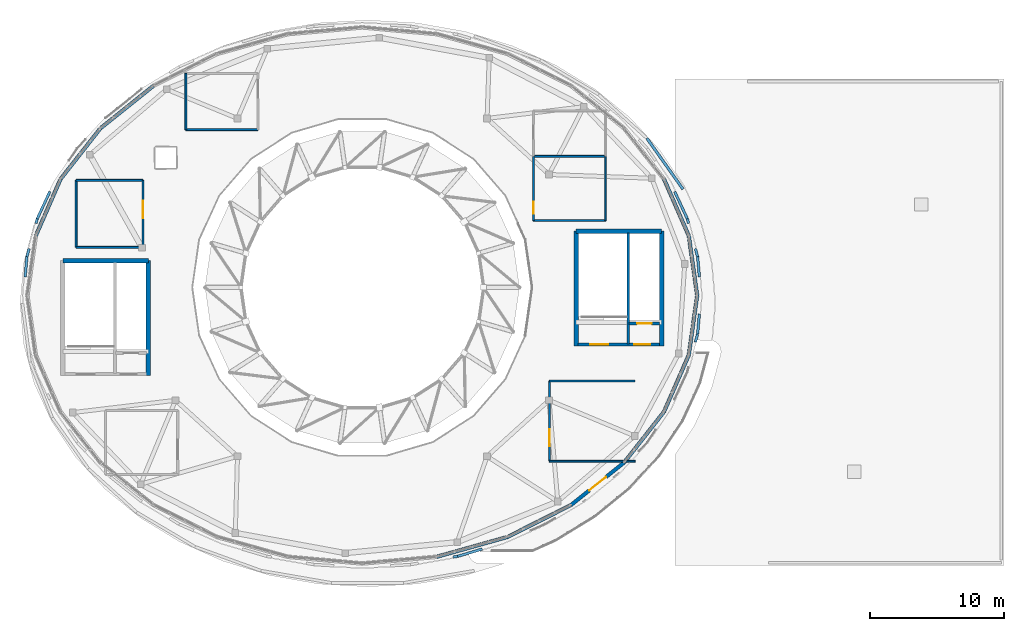
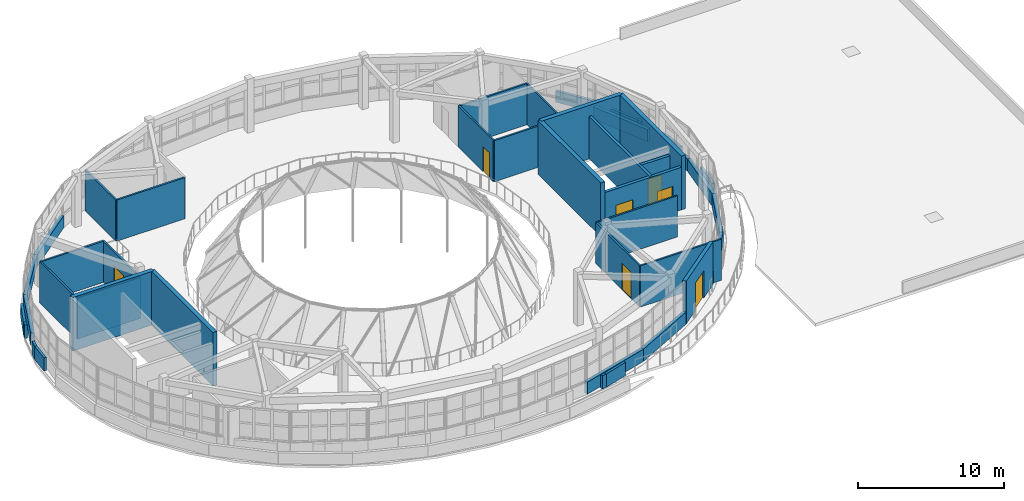
# One storey, part 34 of 38: 45 walls, 7 doors, 7 openings.
"""IFC4 building model written with IfcOpenShell, lengths in metres."""

from ifc_helpers import new_model, si_unit, direction, frame, frame_2d, origin, place, context, subcontext, project, spatial, rectangle, extrude, material, layer, layer_set, type_object, element, fill, save


model = new_model("IFC4")

# Units and contexts
model_context = context("Model", 3, precision=1e-05, world=origin(), true_north=direction((0.0, 1.0)))
body_context = subcontext(model_context, "Body", "Model", "MODEL_VIEW")
ifc_project = project(units=[si_unit("LENGTHUNIT", "METRE"), si_unit("AREAUNIT", "SQUARE_METRE"), si_unit("VOLUMEUNIT", "CUBIC_METRE"), si_unit("PLANEANGLEUNIT", "RADIAN"), si_unit("MASSUNIT", "GRAM", prefix="KILO")], contexts=[model_context])

# Site, building, storey
site_placement = place(None, origin())
site = spatial("IfcSite", under=ifc_project, at=site_placement, CompositionType="ELEMENT")
building_placement = place(site_placement, origin())
building = spatial("IfcBuilding", under=site, at=building_placement, Name="Pelvatis Terrace Science Centre", CompositionType="ELEMENT")
storey_placement = place(building_placement, frame((0.0, 0.0, 24.300048828125)))
storey = spatial("IfcBuildingStorey", under=building, at=storey_placement, Name="L05", CompositionType="ELEMENT", Elevation=24.300048828125)

# Walls
ifc_material_1 = material(Name="White architectural precast concrete C40/50 spandrel", Category="concrete")
ifc_layer_1 = layer(ifc_material_1, 0.27490234375)
ifc_layer_set_1 = layer_set([ifc_layer_1], Name="White architectural precast concrete C40/50 spandrel")
wall_type_1 = type_object("IfcWallType", Name="WL-EXT-SPND-275", PredefinedType="SOLIDWALL", material=ifc_layer_set_1)
wall_1_placement = place(storey_placement, frame((134.25, 85.199951171875, 0.0), z_axis=(0.0, 0.0, 1.0), x_axis=(-0.139418383806, 0.990233565507, 0.0)))
element("IfcWall", 1, at=wall_1_placement, inside=storey, type_object=wall_type_1, Name="V1 white spiral spandrel band 01 (L05)", PredefinedType="SOLIDWALL", context=body_context, shape_type="SweptSolid", body=[
    extrude(rectangle(XDim=4.505615234375, YDim=0.27490234375, at=frame_2d((2.2529296875, 0.0))), origin(), (0.0, 0.0, 1.0), 1.02001953125),
])
wall_2_placement = place(storey_placement, frame((133.621826171875, 89.66162109375, 0.0), z_axis=(0.0, 0.0, 1.0), x_axis=(-0.400547439548, 0.916276022098, 0.0)))
element("IfcWall", 2, at=wall_2_placement, inside=storey, type_object=wall_type_1, Name="V1 white spiral spandrel band 02 (L05)", PredefinedType="SOLIDWALL", context=body_context, shape_type="SweptSolid", body=[
    extrude(rectangle(XDim=4.625, YDim=0.27490234375, at=frame_2d((2.3125, 0.0))), origin(), (0.0, 0.0, 1.0), 1.02001953125),
])
wall_3_placement = place(storey_placement, frame((93.58154296875, 100.875732421875, 0.0), z_axis=(0.0, 0.0, 1.0), x_axis=(-0.780718767482, -0.624882553846, 0.0)))
element("IfcWall", 3, at=wall_3_placement, inside=storey, type_object=wall_type_1, Name="V1 white spiral spandrel band 11 (L05)", PredefinedType="SOLIDWALL", context=body_context, shape_type="SweptSolid", body=[
    extrude(rectangle(XDim=5.08056640625, YDim=0.27490234375, at=frame_2d((2.540283203125, 0.0))), origin(), (0.0, 0.0, 1.0), 1.02001953125),
])
wall_4_placement = place(storey_placement, frame((89.614990234375, 97.700927734375, 0.0), z_axis=(0.0, 0.0, 1.0), x_axis=(-0.617498011037, -0.786572441906, 0.0)))
element("IfcWall", 4, at=wall_4_placement, inside=storey, type_object=wall_type_1, Name="V1 white spiral spandrel band 12 (L05)", PredefinedType="SOLIDWALL", context=body_context, shape_type="SweptSolid", body=[
    extrude(rectangle(XDim=4.8330078125, YDim=0.27490234375, at=frame_2d((2.41650390625, 0.0))), origin(), (0.0, 0.0, 1.0), 1.02001953125),
])
wall_5_placement = place(storey_placement, frame((86.630615234375, 93.8994140625, 0.0), z_axis=(0.0, 0.0, 1.0), x_axis=(-0.400547439548, -0.916276022098, 0.0)))
element("IfcWall", 5, at=wall_5_placement, inside=storey, type_object=wall_type_1, Name="V1 white spiral spandrel band 13 (L05)", PredefinedType="SOLIDWALL", context=body_context, shape_type="SweptSolid", body=[
    extrude(rectangle(XDim=4.625, YDim=0.27490234375, at=frame_2d((2.3125, 0.0))), origin(), (0.0, 0.0, 1.0), 1.02001953125),
])
wall_6_placement = place(storey_placement, frame((114.774169921875, 65.652587890625, 0.0), z_axis=(0.0, 0.0, 1.0), x_axis=(0.962945110284, 0.269697450079, 0.0)))
element("IfcWall", 6, at=wall_6_placement, inside=storey, type_object=wall_type_1, Name="V1 white spiral spandrel band 23 (L05)", PredefinedType="SOLIDWALL", context=body_context, shape_type="SweptSolid", body=[
    extrude(rectangle(XDim=5.49853515625, YDim=0.27490234375, at=frame_2d((2.749267578125, 0.0))), origin(), (0.0, 0.0, 1.0), 1.02001953125),
])
wall_7_placement = place(storey_placement, frame((120.06884765625, 67.135498046875, 0.0), z_axis=(0.0, 0.0, 1.0), x_axis=(0.8933592713, 0.449343089836, 0.0)))
element("IfcWall", 7, at=wall_7_placement, inside=storey, type_object=wall_type_1, Name="V1 white spiral spandrel band 24 (L05)", PredefinedType="SOLIDWALL", context=body_context, shape_type="SweptSolid", body=[
    extrude(rectangle(XDim=5.31640625, YDim=0.27490234375, at=frame_2d((2.658203125, 0.0))), origin(), (0.0, 0.0, 1.0), 1.02001953125),
])

# Wall, opening, door
wall_8_placement = place(storey_placement, frame((124.818359375, 69.5244140625, 0.0), z_axis=(0.0, 0.0, 1.0), x_axis=(0.780742210705, 0.624853263113, 0.0)))
wall_8 = element("IfcWall", 8, at=wall_8_placement, inside=storey, type_object=wall_type_1, Name="L05 Observatory curved terrace portal wall", PredefinedType="SOLIDWALL", context=body_context, shape_type="SweptSolid", body=[
    extrude(rectangle(XDim=5.08056640625, YDim=0.27490234375, at=frame_2d((2.540283203125, 0.0))), origin(), (0.0, 0.0, 1.0), 3.579833984375),
])
opening_1_placement = place(wall_8_placement, frame((1.739990234375, 0.0, 0.0)))
opening_1 = element("IfcOpeningElement", 9, at=opening_1_placement, cuts=wall_8, Name="Opening D-501", PredefinedType="OPENING", context=body_context, shape_type="SweptSolid", body=[
    extrude(rectangle(XDim=1.60009765625, YDim=2.300048828125, at=frame_2d((0.800048828125, 1.14990234375))), frame((0.0, 0.1474609375, 0.0), z_axis=(0.0, -1.0, 0.0), x_axis=(1.0, 0.0, 0.0)), (0.0, 0.0, 1.0), 0.294921875),
])
ifc_material_2 = material(Name="Thermally broken bronze glazed terrace door", Category="glass")
door_type_1 = type_object("IfcDoorType", Name="DR-TER-1600x2300", OperationType="NOTDEFINED", PredefinedType="DOOR", material=ifc_material_2)
door_1_placement = place(opening_1_placement, origin())
door_1 = element("IfcDoor", 10, at=door_1_placement, inside=storey, type_object=door_type_1, Name="L05 Dark-sky observatory terrace door", OperationType="DOUBLE_DOOR_SINGLE_SWING", OverallHeight=2.300048828125, OverallWidth=1.60009765625, PredefinedType="DOOR", context=body_context, shape_type="SweptSolid", body=[
    extrude(rectangle(XDim=1.60009765625, YDim=2.300048828125, at=frame_2d((0.800048828125, 1.14990234375))), frame((0.0, 0.02490234375, 0.0), z_axis=(0.0, -1.0, 0.0), x_axis=(1.0, 0.0, 0.0)), (0.0, 0.0, 1.0), 0.050048828125),
])
fill(opening_1, door_1)

# Walls
wall_9_placement = place(storey_placement, frame((128.784912109375, 72.698974609375, 0.0), z_axis=(0.0, 0.0, 1.0), x_axis=(0.617498011037, 0.786572441906, 0.0)))
element("IfcWall", 11, at=wall_9_placement, inside=storey, type_object=wall_type_1, Name="V1 white spiral spandrel band 26 (L05)", PredefinedType="SOLIDWALL", context=body_context, shape_type="SweptSolid", body=[
    extrude(rectangle(XDim=4.8330078125, YDim=0.27490234375, at=frame_2d((2.41650390625, 0.0))), origin(), (0.0, 0.0, 1.0), 1.02001953125),
])
wall_10_placement = place(storey_placement, frame((131.769287109375, 76.50048828125, 0.0), z_axis=(0.0, 0.0, 1.0), x_axis=(0.400528066948, 0.916284490531, 0.0)))
element("IfcWall", 12, at=wall_10_placement, inside=storey, type_object=wall_type_1, Name="V1 white spiral spandrel band 27 (L05)", PredefinedType="SOLIDWALL", context=body_context, shape_type="SweptSolid", body=[
    extrude(rectangle(XDim=4.625244140625, YDim=0.27490234375, at=frame_2d((2.3125, 0.0))), origin(), (0.0, 0.0, 1.0), 1.02001953125),
])
wall_11_placement = place(storey_placement, frame((133.621826171875, 80.738525390625, 0.0), z_axis=(0.0, 0.0, 1.0), x_axis=(0.139425864829, 0.990232512199, 0.0)))
element("IfcWall", 13, at=wall_11_placement, inside=storey, type_object=wall_type_1, Name="V1 white spiral spandrel band 28 (L05)", PredefinedType="SOLIDWALL", context=body_context, shape_type="SweptSolid", body=[
    extrude(rectangle(XDim=4.50537109375, YDim=0.27490234375, at=frame_2d((2.252685546875, 0.0))), origin(), (0.0, 0.0, 1.0), 1.02001953125),
])
ifc_material_3 = material(Name="Concrete C35/45 shaft dividing wall", Category="concrete")
ifc_layer_2 = layer(ifc_material_3, 0.2099609375)
ifc_layer_set_2 = layer_set([ifc_layer_2], Name="Concrete C35/45 shaft dividing wall")
wall_type_2 = type_object("IfcWallType", Name="WL-INT-CORE-210", PredefinedType="PARTITIONING", material=ifc_layer_set_2)
wall_12_placement = place(storey_placement, frame((129.10009765625, 81.550048828125, 0.0), z_axis=(0.0, 0.0, 1.0), x_axis=(0.0, 1.0, 0.0)))
element("IfcWall", 14, at=wall_12_placement, inside=storey, type_object=wall_type_2, Name="Core C2 stair-lift shaft fire wall (L05)", PredefinedType="PARTITIONING", context=body_context, shape_type="SweptSolid", body=[
    extrude(rectangle(XDim=8.300048828125, YDim=0.2099609375, at=frame_2d((4.14990234375, 0.0))), origin(), (0.0, 0.0, 1.0), 3.579833984375),
])

# Wall, opening, door
ifc_material_4 = material(Name="Concrete C35/45 stair enclosure wall", Category="concrete")
ifc_layer_3 = layer(ifc_material_4, 0.22509765625)
ifc_layer_set_3 = layer_set([ifc_layer_3], Name="Concrete C35/45 stair enclosure wall")
wall_type_3 = type_object("IfcWallType", Name="WL-INT-CORE-225", PredefinedType="PARTITIONING", material=ifc_layer_set_3)
wall_13_placement = place(storey_placement, frame((129.14990234375, 83.10009765625, 0.0), z_axis=(0.0, 0.0, 1.0), x_axis=(1.0, 0.0, 0.0)))
wall_13 = element("IfcWall", 15, at=wall_13_placement, inside=storey, type_object=wall_type_3, Name="Core C2 lift shaft landing wall (L05)", PredefinedType="PARTITIONING", context=body_context, shape_type="SweptSolid", body=[
    extrude(rectangle(XDim=2.300048828125, YDim=0.22509765625, at=frame_2d((1.14990234375, 0.0))), origin(), (0.0, 0.0, 1.0), 3.579833984375),
])
opening_2_placement = place(wall_13_placement, frame((0.60009765625, 0.0, 0.0)))
opening_2 = element("IfcOpeningElement", 16, at=opening_2_placement, cuts=wall_13, Name="Opening LD-C2-7", PredefinedType="OPENING", context=body_context, shape_type="SweptSolid", body=[
    extrude(rectangle(XDim=1.10009765625, YDim=2.14990234375, at=frame_2d((0.550048828125, 1.074951171875))), frame((0.0, 0.12255859375, 0.0), z_axis=(0.0, -1.0, 0.0), x_axis=(1.0, 0.0, 0.0)), (0.0, 0.0, 1.0), 0.2451171875),
])
ifc_material_5 = material(Name="Stainless steel sliding fire-fighting lift landing door", Category="steel")
door_type_2 = type_object("IfcDoorType", Name="DR-LIFT-1100x2150", OperationType="NOTDEFINED", PredefinedType="DOOR", material=ifc_material_5)
door_2_placement = place(opening_2_placement, origin())
door_2 = element("IfcDoor", 17, at=door_2_placement, inside=storey, type_object=door_type_2, Name="Lift LF-02 sliding landing door (L05)", OperationType="SLIDING_TO_LEFT", OverallHeight=2.14990234375, OverallWidth=1.10009765625, PredefinedType="DOOR", context=body_context, shape_type="SweptSolid", body=[
    extrude(rectangle(XDim=1.10009765625, YDim=2.14990234375, at=frame_2d((0.550048828125, 1.074951171875))), frame((0.0, 0.02490234375, 0.0), z_axis=(0.0, -1.0, 0.0), x_axis=(1.0, 0.0, 0.0)), (0.0, 0.0, 1.0), 0.050048828125),
])
fill(opening_2, door_2)

# Wall, openings, doors
ifc_material_6 = material(Name="Concrete C35/45 shaft enclosure wall", Category="concrete")
ifc_layer_4 = layer(ifc_material_6, 0.239990234375)
ifc_layer_set_4 = layer_set([ifc_layer_4], Name="Concrete C35/45 shaft enclosure wall")
wall_type_4 = type_object("IfcWallType", Name="WL-INT-CORE-240", PredefinedType="PARTITIONING", material=ifc_layer_set_4)
wall_14_placement = place(storey_placement, frame((125.35009765625, 81.52001953125, 0.0), z_axis=(0.0, 0.0, 1.0), x_axis=(1.0, 0.0, 0.0)))
wall_14 = element("IfcWall", 18, at=wall_14_placement, inside=storey, type_object=wall_type_4, Name="Core C2 fire-rated lobby wall (L05)", PredefinedType="PARTITIONING", context=body_context, shape_type="SweptSolid", body=[
    extrude(rectangle(XDim=6.099853515625, YDim=0.239990234375, at=frame_2d((3.0498046875, 0.0))), origin(), (0.0, 0.0, 1.0), 3.579833984375),
])
opening_3_placement = place(wall_14_placement, frame((0.89990234375, 0.0, 0.0)))
opening_3 = element("IfcOpeningElement", 19, at=opening_3_placement, cuts=wall_14, Name="Opening D-127", PredefinedType="OPENING", context=body_context, shape_type="SweptSolid", body=[
    extrude(rectangle(XDim=1.35009765625, YDim=2.199951171875, at=frame_2d((0.675048828125, 1.10009765625))), frame((0.0, 0.1298828125, 0.0), z_axis=(0.0, -1.0, 0.0), x_axis=(1.0, 0.0, 0.0)), (0.0, 0.0, 1.0), 0.260009765625),
])
opening_4_placement = place(wall_14_placement, frame((4.199951171875, 0.0, 0.0)))
opening_4 = element("IfcOpeningElement", 20, at=opening_4_placement, cuts=wall_14, Name="Opening D-128", PredefinedType="OPENING", context=body_context, shape_type="SweptSolid", body=[
    extrude(rectangle(XDim=1.199951171875, YDim=2.199951171875, at=frame_2d((0.60009765625, 1.10009765625))), frame((0.0, 0.1298828125, 0.0), z_axis=(0.0, -1.0, 0.0), x_axis=(1.0, 0.0, 0.0)), (0.0, 0.0, 1.0), 0.260009765625),
])
ifc_material_7 = material(Name="Steel fire-rated exit stair door", Category="steel")
door_type_3 = type_object("IfcDoorType", Name="DR-STAIR-1200x2200", OperationType="NOTDEFINED", PredefinedType="DOOR", material=ifc_material_7)
door_3_placement = place(opening_4_placement, origin())
door_3 = element("IfcDoor", 21, at=door_3_placement, inside=storey, type_object=door_type_3, Name="Core C2 lift lobby fire door (L05)", OperationType="SINGLE_SWING_RIGHT", OverallHeight=2.199951171875, OverallWidth=1.199951171875, PredefinedType="DOOR", context=body_context, shape_type="SweptSolid", body=[
    extrude(rectangle(XDim=1.199951171875, YDim=2.199951171875, at=frame_2d((0.60009765625, 1.10009765625))), frame((0.0, 0.02490234375, 0.0), z_axis=(0.0, -1.0, 0.0), x_axis=(1.0, 0.0, 0.0)), (0.0, 0.0, 1.0), 0.050048828125),
])
fill(opening_4, door_3)
ifc_material_8 = material(Name="Steel fire-rated protected stair door", Category="steel")
door_type_4 = type_object("IfcDoorType", Name="DR-STAIR-1350x2200", OperationType="NOTDEFINED", PredefinedType="DOOR", material=ifc_material_8)
door_4_placement = place(opening_3_placement, origin())
door_4 = element("IfcDoor", 22, at=door_4_placement, inside=storey, type_object=door_type_4, Name="Core C2 protected stair fire door (L05)", OperationType="SINGLE_SWING_LEFT", OverallHeight=2.199951171875, OverallWidth=1.35009765625, PredefinedType="DOOR", context=body_context, shape_type="SweptSolid", body=[
    extrude(rectangle(XDim=1.35009765625, YDim=2.199951171875, at=frame_2d((0.675048828125, 1.10009765625))), frame((0.0, 0.02490234375, 0.0), z_axis=(0.0, -1.0, 0.0), x_axis=(1.0, 0.0, 0.0)), (0.0, 0.0, 1.0), 0.050048828125),
])
fill(opening_3, door_4)

# Walls
ifc_material_9 = material(Name="Alcove display partition", Category="masonry")
ifc_layer_5 = layer(ifc_material_9, 0.110107421875)
ifc_layer_set_5 = layer_set([ifc_layer_5], Name="Alcove display partition")
wall_type_5 = type_object("IfcWallType", Name="WL-INT-GAL-110", PredefinedType="PARTITIONING", material=ifc_layer_set_5)
wall_15_placement = place(storey_placement, frame((127.39990234375, 90.800048828125, 0.0), z_axis=(0.0, 0.0, 1.0), x_axis=(0.0, 1.0, 0.0)))
element("IfcWall", 23, at=wall_15_placement, inside=storey, type_object=wall_type_5, Name="Level L05 Public Restrooms partition wall E", PredefinedType="PARTITIONING", context=body_context, shape_type="SweptSolid", body=[
    extrude(rectangle(XDim=4.800048828125, YDim=0.110107421875, at=frame_2d((2.39990234375, 0.0))), origin(), (0.0, 0.0, 1.0), 3.449951171875),
])
ifc_material_10 = material(Name="Office partition wall", Category="masonry")
ifc_layer_6 = layer(ifc_material_10, 0.139892578125)
ifc_layer_set_6 = layer_set([ifc_layer_6], Name="Office partition wall")
wall_type_6 = type_object("IfcWallType", Name="WL-INT-GAL-140", PredefinedType="PARTITIONING", material=ifc_layer_set_6)
for number, where, z_axis, x_axis, name in (
    (24, (122.0, 90.800048828125, 0.0), (0.0, 0.0, 1.0), (1.0, 0.0, 0.0), "Level L05 Public Restrooms partition wall S"),
    (25, (127.39990234375, 95.60009765625, 0.0), (0.0, 0.0, 1.0), (-1.0, 0.0, 0.0), "Level L05 Public Restrooms partition wall N"),
):
    element("IfcWall", number, at=place(storey_placement, frame(where, z_axis=z_axis, x_axis=x_axis)), inside=storey, type_object=wall_type_6, Name=name, PredefinedType="PARTITIONING", context=body_context, shape_type="SweptSolid", body=[
        extrude(rectangle(XDim=5.39990234375, YDim=0.139892578125, at=frame_2d((2.699951171875, 0.0))), origin(), (0.0, 0.0, 1.0), 3.449951171875),
    ])
ifc_material_11 = material(Name="Observatory acoustic fire partition", Category="masonry")
ifc_layer_7 = layer(ifc_material_11, 0.14501953125)
ifc_layer_set_7 = layer_set([ifc_layer_7], Name="Observatory acoustic fire partition")
wall_type_7 = type_object("IfcWallType", Name="WL-INT-GAL-145", PredefinedType="PARTITIONING", material=ifc_layer_set_7)
wall_16_placement = place(storey_placement, frame((87.800048828125, 88.800048828125, 0.0), z_axis=(0.0, 0.0, 1.0), x_axis=(1.0, 0.0, 0.0)))
element("IfcWall", 26, at=wall_16_placement, inside=storey, type_object=wall_type_7, Name="Astronomical Observatory Refracting Telescope Pavilion partition wall S", PredefinedType="PARTITIONING", context=body_context, shape_type="SweptSolid", body=[
    extrude(rectangle(XDim=5.0, YDim=0.14501953125, at=frame_2d((2.5, 0.0))), origin(), (0.0, 0.0, 1.0), 3.449951171875),
])

# Wall, opening, door
wall_17_placement = place(storey_placement, frame((92.800048828125, 88.800048828125, 0.0), z_axis=(0.0, 0.0, 1.0), x_axis=(0.0, 1.0, 0.0)))
wall_17 = element("IfcWall", 27, at=wall_17_placement, inside=storey, type_object=wall_type_7, Name="Astronomical Observatory Refracting Telescope Pavilion partition wall E", PredefinedType="PARTITIONING", context=body_context, shape_type="SweptSolid", body=[
    extrude(rectangle(XDim=5.0, YDim=0.14501953125, at=frame_2d((2.5, 0.0))), origin(), (0.0, 0.0, 1.0), 3.449951171875),
])
opening_5_placement = place(wall_17_placement, frame((2.162109375, 0.0, 0.0)))
opening_5 = element("IfcOpeningElement", 28, at=opening_5_placement, cuts=wall_17, Name="Opening D-222", PredefinedType="OPENING", context=body_context, shape_type="SweptSolid", body=[
    extrude(rectangle(XDim=1.300048828125, YDim=2.25, at=frame_2d((0.64990234375, 1.125))), frame((0.0, 0.08251953125, 0.0), z_axis=(0.0, -1.0, 0.0), x_axis=(1.0, 0.0, 0.0)), (0.0, 0.0, 1.0), 0.1650390625),
])
ifc_material_12 = material(Name="Blackout telescope control room door", Category="wood")
door_type_5 = type_object("IfcDoorType", Name="DR-OBS-1300x2250", OperationType="NOTDEFINED", PredefinedType="DOOR", material=ifc_material_12)
door_5_placement = place(opening_5_placement, origin())
door_5 = element("IfcDoor", 29, at=door_5_placement, inside=storey, type_object=door_type_5, Name="Astronomical Observatory Refracting Telescope Pavilion entrance door", OperationType="SINGLE_SWING_LEFT", OverallHeight=2.25, OverallWidth=1.300048828125, PredefinedType="DOOR", context=body_context, shape_type="SweptSolid", body=[
    extrude(rectangle(XDim=1.300048828125, YDim=2.25, at=frame_2d((0.64990234375, 1.125))), frame((0.0, 0.02490234375, 0.0), z_axis=(0.0, -1.0, 0.0), x_axis=(1.0, 0.0, 0.0)), (0.0, 0.0, 1.0), 0.050048828125),
])
fill(opening_5, door_5)

# Walls
for number, where, z_axis, x_axis, name in (
    (30, (92.800048828125, 93.800048828125, 0.0), (0.0, 0.0, 1.0), (-1.0, 0.0, 0.0), "Astronomical Observatory Refracting Telescope Pavilion partition wall N"),
    (31, (87.800048828125, 93.800048828125, 0.0), (0.0, 0.0, 1.0), (0.0, -1.0, 0.0), "Astronomical Observatory Refracting Telescope Pavilion partition wall W"),
):
    element("IfcWall", number, at=place(storey_placement, frame(where, z_axis=z_axis, x_axis=x_axis)), inside=storey, type_object=wall_type_7, Name=name, PredefinedType="PARTITIONING", context=body_context, shape_type="SweptSolid", body=[
        extrude(rectangle(XDim=5.0, YDim=0.14501953125, at=frame_2d((2.5, 0.0))), origin(), (0.0, 0.0, 1.0), 3.449951171875),
    ])
wall_18_placement = place(storey_placement, frame((96.0, 97.60009765625, 0.0), z_axis=(0.0, 0.0, 1.0), x_axis=(1.0, 0.0, 0.0)))
element("IfcWall", 32, at=wall_18_placement, inside=storey, type_object=wall_type_7, Name="Astrophotography and Telescope Control Workroom partition wall S", PredefinedType="PARTITIONING", context=body_context, shape_type="SweptSolid", body=[
    extrude(rectangle(XDim=5.39990234375, YDim=0.14501953125, at=frame_2d((2.699951171875, 0.0))), origin(), (0.0, 0.0, 1.0), 3.449951171875),
])
wall_19_placement = place(storey_placement, frame((96.0, 101.800048828125, 0.0), z_axis=(0.0, 0.0, 1.0), x_axis=(0.0, -1.0, 0.0)))
element("IfcWall", 33, at=wall_19_placement, inside=storey, type_object=wall_type_7, Name="Astrophotography and Telescope Control Workroom partition wall W", PredefinedType="PARTITIONING", context=body_context, shape_type="SweptSolid", body=[
    extrude(rectangle(XDim=4.199951171875, YDim=0.14501953125, at=frame_2d((2.10009765625, 0.0))), origin(), (0.0, 0.0, 1.0), 3.449951171875),
])
ifc_material_13 = material(Name="Twin-frame gypsum fire-rated seminar partition", Category="masonry")
ifc_layer_8 = layer(ifc_material_13, 0.135009765625)
ifc_layer_set_8 = layer_set([ifc_layer_8], Name="Twin-frame gypsum fire-rated seminar partition")
wall_type_8 = type_object("IfcWallType", Name="WL-INT-STD-135", PredefinedType="PARTITIONING", material=ifc_layer_set_8)
for number, where, z_axis, x_axis, name in (
    (34, (123.199951171875, 72.800048828125, 0.0), (0.0, 0.0, 1.0), (1.0, 0.0, 0.0), "Celestial Navigation and Night-Sky Seminar Room partition wall S"),
    (35, (129.60009765625, 78.800048828125, 0.0), (0.0, 0.0, 1.0), (-1.0, 0.0, 0.0), "Celestial Navigation and Night-Sky Seminar Room partition wall N"),
):
    element("IfcWall", number, at=place(storey_placement, frame(where, z_axis=z_axis, x_axis=x_axis)), inside=storey, type_object=wall_type_8, Name=name, PredefinedType="PARTITIONING", context=body_context, shape_type="SweptSolid", body=[
        extrude(rectangle(XDim=6.400146484375, YDim=0.135009765625, at=frame_2d((3.2001953125, 0.0))), origin(), (0.0, 0.0, 1.0), 3.449951171875),
    ])

# Wall, opening, door
wall_20_placement = place(storey_placement, frame((123.199951171875, 78.800048828125, 0.0), z_axis=(0.0, 0.0, 1.0), x_axis=(0.0, -1.0, 0.0)))
wall_20 = element("IfcWall", 36, at=wall_20_placement, inside=storey, type_object=wall_type_8, Name="Celestial Navigation and Night-Sky Seminar Room partition wall W", PredefinedType="PARTITIONING", context=body_context, shape_type="SweptSolid", body=[
    extrude(rectangle(XDim=6.0, YDim=0.135009765625, at=frame_2d((3.0, 0.0))), origin(), (0.0, 0.0, 1.0), 3.449951171875),
])
opening_6_placement = place(wall_20_placement, frame((3.625, 0.0, 0.0)))
opening_6 = element("IfcOpeningElement", 37, at=opening_6_placement, cuts=wall_20, Name="Opening D-224", PredefinedType="OPENING", context=body_context, shape_type="SweptSolid", body=[
    extrude(rectangle(XDim=1.25, YDim=2.199951171875, at=frame_2d((0.625, 1.10009765625))), frame((0.0, 0.077392578125, 0.0), z_axis=(0.0, -1.0, 0.0), x_axis=(1.0, 0.0, 0.0)), (0.0, 0.0, 1.0), 0.155029296875),
])
ifc_material_14 = material(Name="Acoustic timber seminar fire door", Category="wood")
door_type_6 = type_object("IfcDoorType", Name="DR-SEM-1250x2200", OperationType="NOTDEFINED", PredefinedType="DOOR", material=ifc_material_14)
door_6_placement = place(opening_6_placement, origin())
door_6 = element("IfcDoor", 38, at=door_6_placement, inside=storey, type_object=door_type_6, Name="Celestial Navigation and Night-Sky Seminar Room entrance door", OperationType="SINGLE_SWING_LEFT", OverallHeight=2.199951171875, OverallWidth=1.25, PredefinedType="DOOR", context=body_context, shape_type="SweptSolid", body=[
    extrude(rectangle(XDim=1.25, YDim=2.199951171875, at=frame_2d((0.625, 1.10009765625))), frame((0.0, 0.02490234375, 0.0), z_axis=(0.0, -1.0, 0.0), x_axis=(1.0, 0.0, 0.0)), (0.0, 0.0, 1.0), 0.050048828125),
])
fill(opening_6, door_6)

ifc_material_15 = material(Name="Ceramic-tiled wet restroom partition", Category="masonry")
ifc_layer_9 = layer(ifc_material_15, 0.1298828125)
ifc_layer_set_9 = layer_set([ifc_layer_9], Name="Ceramic-tiled wet restroom partition")
wall_type_9 = type_object("IfcWallType", Name="WL-INT-WET-130", PredefinedType="PARTITIONING", material=ifc_layer_set_9)
wall_21_placement = place(storey_placement, frame((122.0, 95.60009765625, 0.0), z_axis=(0.0, 0.0, 1.0), x_axis=(0.0, -1.0, 0.0)))
wall_21 = element("IfcWall", 39, at=wall_21_placement, inside=storey, type_object=wall_type_9, Name="Level L05 Public Restrooms partition wall W", PredefinedType="PARTITIONING", context=body_context, shape_type="SweptSolid", body=[
    extrude(rectangle(XDim=4.800048828125, YDim=0.1298828125, at=frame_2d((2.39990234375, 0.0))), origin(), (0.0, 0.0, 1.0), 3.449951171875),
])
opening_7_placement = place(wall_21_placement, frame((3.3798828125, 0.0, 0.0)))
opening_7 = element("IfcOpeningElement", 40, at=opening_7_placement, cuts=wall_21, Name="Opening D-226", PredefinedType="OPENING", context=body_context, shape_type="SweptSolid", body=[
    extrude(rectangle(XDim=0.919921875, YDim=2.10009765625, at=frame_2d((0.4599609375, 1.050048828125))), frame((0.0, 0.074951171875, 0.0), z_axis=(0.0, -1.0, 0.0), x_axis=(1.0, 0.0, 0.0)), (0.0, 0.0, 1.0), 0.14990234375),
])
ifc_material_16 = material(Name="Moisture-resistant public restroom door", Category="wood")
door_type_7 = type_object("IfcDoorType", Name="DR-WC-0920x2100", OperationType="NOTDEFINED", PredefinedType="DOOR", material=ifc_material_16)
door_7_placement = place(opening_7_placement, origin())
door_7 = element("IfcDoor", 41, at=door_7_placement, inside=storey, type_object=door_type_7, Name="Level L05 Public Restrooms entrance door", OperationType="SINGLE_SWING_LEFT", OverallHeight=2.10009765625, OverallWidth=0.919921875, PredefinedType="DOOR", context=body_context, shape_type="SweptSolid", body=[
    extrude(rectangle(XDim=0.919921875, YDim=2.10009765625, at=frame_2d((0.4599609375, 1.050048828125))), frame((0.0, 0.02490234375, 0.0), z_axis=(0.0, -1.0, 0.0), x_axis=(1.0, 0.0, 0.0)), (0.0, 0.0, 1.0), 0.050048828125),
])
fill(opening_7, door_7)

# Walls
ifc_material_17 = material(Name="White architectural precast concrete C40/50 spandrel parapet", Category="concrete")
ifc_layer_10 = layer(ifc_material_17, 0.18994140625)
ifc_layer_set_10 = layer_set([ifc_layer_10], Name="White architectural precast concrete C40/50 spandrel parapet")
wall_type_10 = type_object("IfcWallType", Name="WL-PAR-190", PredefinedType="PARAPET", material=ifc_layer_set_10)
wall_22_placement = place(storey_placement, frame((83.98291015625, 86.577392578125, 0.0), z_axis=(0.0, 0.0, 1.0), x_axis=(0.088755647228, 0.996053429835, 0.0)))
element("IfcWall", 42, at=wall_22_placement, inside=storey, type_object=wall_type_10, Name="Perimeter edge closure parapet PW-EDG-L05-430", PredefinedType="PARAPET", context=body_context, shape_type="SweptSolid", body=[
    extrude(rectangle(XDim=1.521240234375, YDim=0.18994140625, at=frame_2d((0.7607421875, 0.0))), origin(), (0.0, 0.0, 1.0), 1.119873046875),
])
wall_23_placement = place(storey_placement, frame((84.117919921875, 88.092529296875, 0.0), z_axis=(0.0, 0.0, 1.0), x_axis=(0.261165046562, 0.965294161618, 0.0)))
element("IfcWall", 43, at=wall_23_placement, inside=storey, type_object=wall_type_10, Name="Perimeter edge closure parapet PW-EDG-L05-431", PredefinedType="PARAPET", context=body_context, shape_type="SweptSolid", body=[
    extrude(rectangle(XDim=0.62451171875, YDim=0.18994140625, at=frame_2d((0.312255859375, 0.0))), origin(), (0.0, 0.0, 1.0), 1.119873046875),
])
wall_24_placement = place(storey_placement, frame((84.794921875, 90.5927734375, 0.0), z_axis=(0.0, 0.0, 1.0), x_axis=(0.261744108859, 0.965137307059, 0.0)))
element("IfcWall", 44, at=wall_24_placement, inside=storey, type_object=wall_type_10, Name="Perimeter edge closure parapet PW-EDG-L05-432", PredefinedType="PARAPET", context=body_context, shape_type="SweptSolid", body=[
    extrude(rectangle(XDim=0.345947265625, YDim=0.18994140625, at=frame_2d((0.1728515625, 0.0))), origin(), (0.0, 0.0, 1.0), 1.119873046875),
])
for number, where, z_axis, x_axis, name in (
    (45, (84.885498046875, 90.9267578125, 0.0), (0.0, 0.0, 1.0), (0.421203752759, 0.906966040523, 0.0), "Perimeter edge closure parapet PW-EDG-L05-433"),
    (46, (132.56689453125, 92.967529296875, 0.0), (0.0, 0.0, 1.0), (0.421114494477, -0.907007487589, 0.0), "Perimeter edge closure parapet PW-EDG-L05-449"),
):
    element("IfcWall", number, at=place(storey_placement, frame(where, z_axis=z_axis, x_axis=x_axis)), inside=storey, type_object=wall_type_10, Name=name, PredefinedType="PARAPET", context=body_context, shape_type="SweptSolid", body=[
        extrude(rectangle(XDim=2.25, YDim=0.18994140625, at=frame_2d((1.125, 0.0))), origin(), (0.0, 0.0, 1.0), 1.119873046875),
    ])
wall_25_placement = place(storey_placement, frame((133.514404296875, 90.9267578125, 0.0), z_axis=(0.0, 0.0, 1.0), x_axis=(0.261744108859, -0.965137307059, 0.0)))
element("IfcWall", 47, at=wall_25_placement, inside=storey, type_object=wall_type_10, Name="Perimeter edge closure parapet PW-EDG-L05-450", PredefinedType="PARAPET", context=body_context, shape_type="SweptSolid", body=[
    extrude(rectangle(XDim=0.345947265625, YDim=0.18994140625, at=frame_2d((0.1728515625, 0.0))), origin(), (0.0, 0.0, 1.0), 1.119873046875),
])
wall_26_placement = place(storey_placement, frame((134.118896484375, 88.6953125, 0.0), z_axis=(0.0, 0.0, 1.0), x_axis=(0.261529289722, -0.965195540094, 0.0)))
element("IfcWall", 48, at=wall_26_placement, inside=storey, type_object=wall_type_10, Name="Perimeter edge closure parapet PW-EDG-L05-451", PredefinedType="PARAPET", context=body_context, shape_type="SweptSolid", body=[
    extrude(rectangle(XDim=0.62451171875, YDim=0.18994140625, at=frame_2d((0.312255859375, 0.0))), origin(), (0.0, 0.0, 1.0), 1.119873046875),
])
for number, where, z_axis, x_axis, name in (
    (49, (134.2822265625, 88.092529296875, 0.0), (0.0, 0.0, 1.0), (0.088596409707, -0.996067606233, 0.0), "Perimeter edge closure parapet PW-EDG-L05-452"),
    (50, (134.4169921875, 83.82275390625, 0.0), (0.0, 0.0, 1.0), (-0.08858224809, -0.996068865753, 0.0), "Perimeter edge closure parapet PW-EDG-L05-453"),
):
    element("IfcWall", number, at=place(storey_placement, frame(where, z_axis=z_axis, x_axis=x_axis)), inside=storey, type_object=wall_type_10, Name=name, PredefinedType="PARAPET", context=body_context, shape_type="SweptSolid", body=[
        extrude(rectangle(XDim=1.521240234375, YDim=0.18994140625, at=frame_2d((0.7607421875, 0.0))), origin(), (0.0, 0.0, 1.0), 1.119873046875),
    ])
wall_27_placement = place(storey_placement, frame((134.2822265625, 82.307373046875, 0.0), z_axis=(0.0, 0.0, 1.0), x_axis=(-0.261529289722, -0.965195540094, 0.0)))
element("IfcWall", 51, at=wall_27_placement, inside=storey, type_object=wall_type_10, Name="Perimeter edge closure parapet PW-EDG-L05-454", PredefinedType="PARAPET", context=body_context, shape_type="SweptSolid", body=[
    extrude(rectangle(XDim=0.62451171875, YDim=0.18994140625, at=frame_2d((0.312255859375, 0.0))), origin(), (0.0, 0.0, 1.0), 1.119873046875),
])
wall_28_placement = place(storey_placement, frame((118.17919921875, 66.235107421875, 0.0), z_axis=(0.0, 0.0, 1.0), x_axis=(-0.957938345308, -0.286974086965, 0.0)))
element("IfcWall", 52, at=wall_28_placement, inside=storey, type_object=wall_type_10, Name="Perimeter edge closure parapet PW-EDG-L05-460", PredefinedType="PARAPET", context=body_context, shape_type="SweptSolid", body=[
    extrude(rectangle(XDim=1.91748046875, YDim=0.18994140625, at=frame_2d((0.958740234375, 0.0))), origin(), (0.0, 0.0, 1.0), 1.119873046875),
])
wall_29_placement = place(storey_placement, frame((116.34228515625, 65.684814453125, 0.0), z_axis=(0.0, 0.0, 1.0), x_axis=(-0.985123386937, -0.171848516171, 0.0)))
element("IfcWall", 53, at=wall_29_placement, inside=storey, type_object=wall_type_10, Name="Perimeter edge closure parapet PW-EDG-L05-461", PredefinedType="PARAPET", context=body_context, shape_type="SweptSolid", body=[
    extrude(rectangle(XDim=0.34521484375, YDim=0.18994140625, at=frame_2d((0.172607421875, 0.0))), origin(), (0.0, 0.0, 1.0), 1.119873046875),
])
ifc_material_18 = material(Name="White architectural precast concrete C40/50 spandrel parapet", Category="concrete")
ifc_layer_11 = layer(ifc_material_18, 0.205078125)
ifc_layer_set_11 = layer_set([ifc_layer_11], Name="White architectural precast concrete C40/50 spandrel parapet")
wall_type_11 = type_object("IfcWallType", Name="WL-PAR-205", PredefinedType="PARAPET", material=ifc_layer_set_11)
wall_30_placement = place(storey_placement, frame((133.187744140625, 93.149658203125, 0.0), z_axis=(0.0, 0.0, 1.0), x_axis=(-0.578512346326, 0.815673626611, 0.0)))
element("IfcWall", 54, at=wall_30_placement, inside=storey, type_object=wall_type_11, Name="White spiral ring parapet PW-CRV-L05-033", PredefinedType="PARAPET", context=body_context, shape_type="SweptSolid", body=[
    extrude(rectangle(XDim=4.665283203125, YDim=0.205078125, at=frame_2d((2.33251953125, 0.0))), origin(), (0.0, 0.0, 1.0), 0.919921875),
])
ifc_material_19 = material(Name="Concrete C40/50", Category="concrete")
ifc_layer_12 = layer(ifc_material_19, 0.320068359375)
ifc_layer_set_12 = layer_set([ifc_layer_12], Name="Concrete C40/50")
wall_type_12 = type_object("IfcWallType", Name="WL-SHR-320", PredefinedType="SHEAR", material=ifc_layer_set_12)
wall_31_placement = place(storey_placement, frame((86.800048828125, 87.800048828125, 0.0), z_axis=(0.0, 0.0, 1.0), x_axis=(1.0, 0.0, 0.0)))
element("IfcWall", 55, at=wall_31_placement, inside=storey, type_object=wall_type_12, Name="Core C1 shear wall N (L05)", PredefinedType="SHEAR", context=body_context, shape_type="SweptSolid", body=[
    extrude(rectangle(XDim=6.39990234375, YDim=0.320068359375, at=frame_2d((3.199951171875, 0.0))), origin(), (0.0, 0.0, 1.0), 4.5),
])
wall_32_placement = place(storey_placement, frame((93.199951171875, 79.199951171875, 0.0), z_axis=(0.0, 0.0, 1.0), x_axis=(0.0, 1.0, 0.0)))
element("IfcWall", 56, at=wall_32_placement, inside=storey, type_object=wall_type_12, Name="Core C1 shear wall E (L05)", PredefinedType="SHEAR", context=body_context, shape_type="SweptSolid", body=[
    extrude(rectangle(XDim=8.60009765625, YDim=0.320068359375, at=frame_2d((4.300048828125, 0.0))), origin(), (0.0, 0.0, 1.0), 4.5),
])
wall_33_placement = place(storey_placement, frame((125.199951171875, 90.0, 0.0), z_axis=(0.0, 0.0, 1.0), x_axis=(1.0, 0.0, 0.0)))
element("IfcWall", 57, at=wall_33_placement, inside=storey, type_object=wall_type_12, Name="Core C2 shear wall N (L05)", PredefinedType="SHEAR", context=body_context, shape_type="SweptSolid", body=[
    extrude(rectangle(XDim=6.400146484375, YDim=0.320068359375, at=frame_2d((3.2001953125, 0.0))), origin(), (0.0, 0.0, 1.0), 4.5),
])
for number, where, z_axis, x_axis, name in (
    (58, (125.199951171875, 81.39990234375, 0.0), (0.0, 0.0, 1.0), (0.0, 1.0, 0.0), "Core C2 shear wall W (L05)"),
    (59, (131.60009765625, 81.39990234375, 0.0), (0.0, 0.0, 1.0), (0.0, 1.0, 0.0), "Core C2 shear wall E (L05)"),
):
    element("IfcWall", number, at=place(storey_placement, frame(where, z_axis=z_axis, x_axis=x_axis)), inside=storey, type_object=wall_type_12, Name=name, PredefinedType="SHEAR", context=body_context, shape_type="SweptSolid", body=[
        extrude(rectangle(XDim=8.60009765625, YDim=0.320068359375, at=frame_2d((4.300048828125, 0.0))), origin(), (0.0, 0.0, 1.0), 4.5),
    ])

save(model, "model.ifc")
